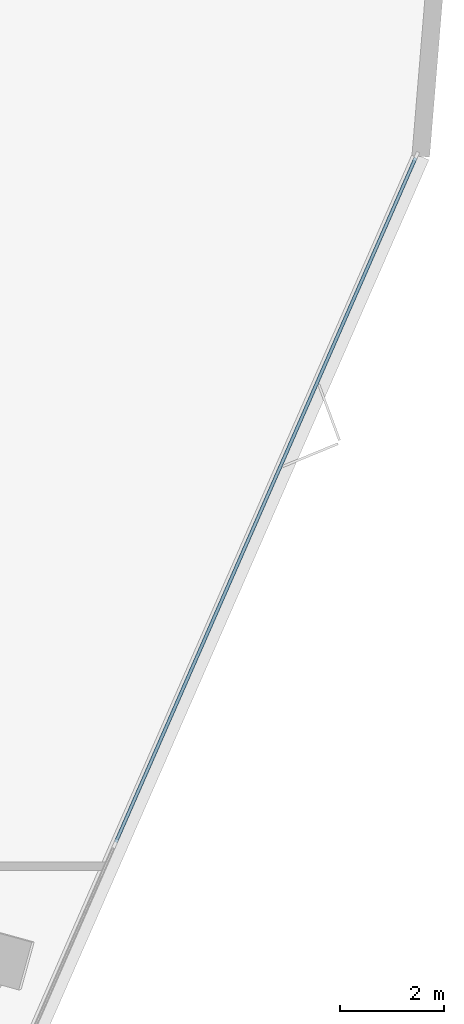
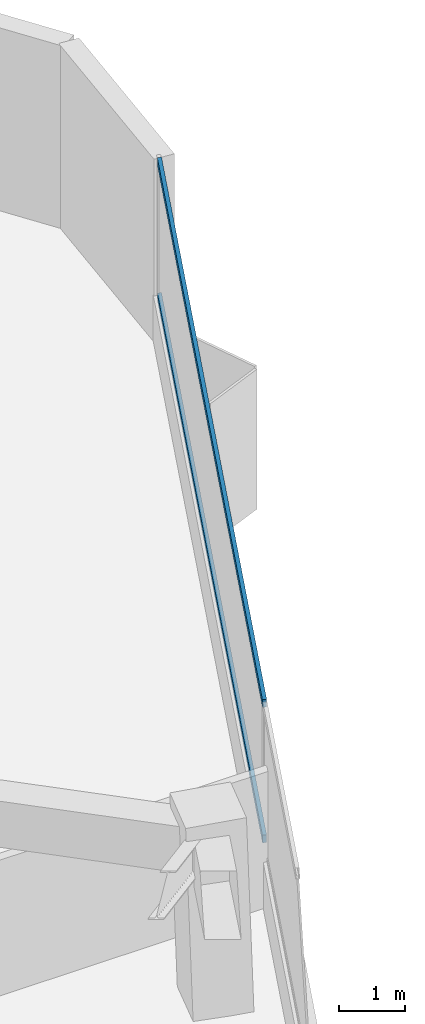
# One storey, part 10 of 20: 2 members, 1 element without a shape of its own.
"""IFC4 building model written with IfcOpenShell, lengths in metres."""

from ifc_helpers import new_model, si_unit, direction, frame, origin, origin_2d, place, context, subcontext, project, spatial, rectangle, extrude, material, layer, layer_set, material_profile, profile_set, type_object, element, aggregate, save


model = new_model("IFC4")

# Units and contexts
model_context = context("Model", 3, precision=1e-05, world=origin(), true_north=direction((0.0, 1.0)))
body_context = subcontext(model_context, "Body", "Model", "MODEL_VIEW")
ifc_project = project(units=[si_unit("LENGTHUNIT", "METRE"), si_unit("AREAUNIT", "SQUARE_METRE"), si_unit("VOLUMEUNIT", "CUBIC_METRE"), si_unit("PLANEANGLEUNIT", "RADIAN"), si_unit("MASSUNIT", "GRAM", prefix="KILO")], contexts=[model_context])

# Site, building, storey
site_placement = place(None, origin())
site = spatial("IfcSite", under=ifc_project, at=site_placement, CompositionType="ELEMENT")
building_placement = place(site_placement, origin())
building = spatial("IfcBuilding", under=site, at=building_placement, Name="Talyreon Biosciences Tower", CompositionType="ELEMENT")
storey_placement = place(building_placement, frame((0.0, 0.0, 37.39990234375)))
storey = spatial("IfcBuildingStorey", under=building, at=storey_placement, Name="L09", CompositionType="ELEMENT", Elevation=37.39990234375)

# Curtain wall, members
ifc_material_1 = material(Name="Thermally broken aluminium and low-E glazing", Category="aluminium")
ifc_layer = layer(ifc_material_1, 0.195068359375)
ifc_layer_set = layer_set([ifc_layer], Name="Thermally broken aluminium and low-E glazing")
curtain_wall_type = type_object("IfcCurtainWallType", Name="CurtainWall_Zone1WetLab", PredefinedType="NOTDEFINED", material=ifc_layer_set)
curtain_wall_placement = place(storey_placement, origin())
curtain_wall = element("IfcCurtainWall", 1, at=curtain_wall_placement, inside=storey, type_object=curtain_wall_type, Name="L09 Unitised Curtain Wall FCW-L09-08", PredefinedType="NOTDEFINED")
ifc_material_2 = material(Name="Anodised thermally broken aluminium", Category="aluminium")
ifc_material_profile = material_profile(ifc_material_2, rectangle(XDim=0.06494140625, YDim=0.139892578125, at=origin_2d()), Name="ALUM TRANSOM 65x140")
ifc_profile_set = profile_set([ifc_material_profile], Name="Anodised thermally broken aluminium")
member_type = type_object("IfcMemberType", Name="CWTransom_65x140", PredefinedType="USERDEFINED", material=ifc_profile_set)
member_1_placement = place(storey_placement, frame((99.709716796875, 84.873779296875, 0.842529296875), z_axis=(-0.401215092974, -0.915983869492, 0.0), x_axis=(0.915983869492, -0.401215092974, 0.0)))
member_1 = element("IfcMember", 2, at=member_1_placement, type_object=member_type, Name="CW2 transom 1.1", ObjectType="TRANSOM", PredefinedType="USERDEFINED", context=body_context, shape_type="SweptSolid", body=[
    extrude(rectangle(XDim=0.06494140625, YDim=0.139892578125, at=origin_2d()), origin(), (0.0, 0.0, 1.0), 14.38134765625),
])
member_2_placement = place(storey_placement, frame((99.709716796875, 84.873779296875, 3.342529296875), z_axis=(-0.401215092974, -0.915983869492, 0.0), x_axis=(0.915983869492, -0.401215092974, 0.0)))
member_2 = element("IfcMember", 3, at=member_2_placement, type_object=member_type, Name="CW2 transom 1.2", ObjectType="TRANSOM", PredefinedType="USERDEFINED", context=body_context, shape_type="SweptSolid", body=[
    extrude(rectangle(XDim=0.06494140625, YDim=0.139892578125, at=origin_2d()), origin(), (0.0, 0.0, 1.0), 14.38134765625),
])
aggregate(curtain_wall, [member_1, member_2])

save(model, "model.ifc")
